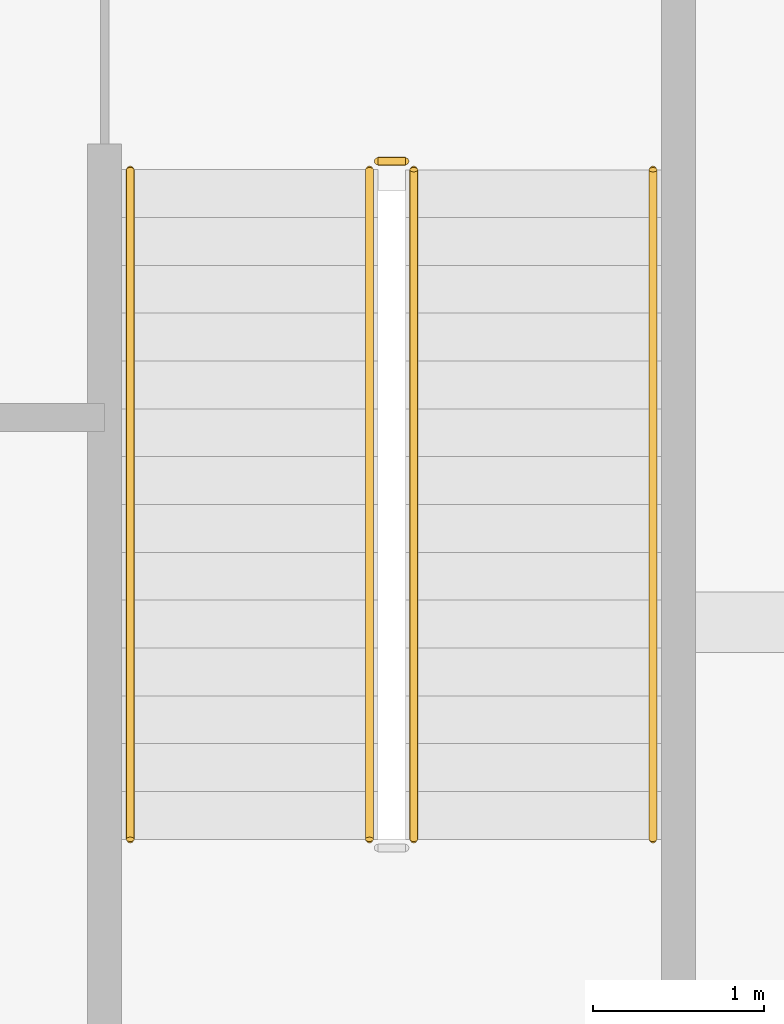
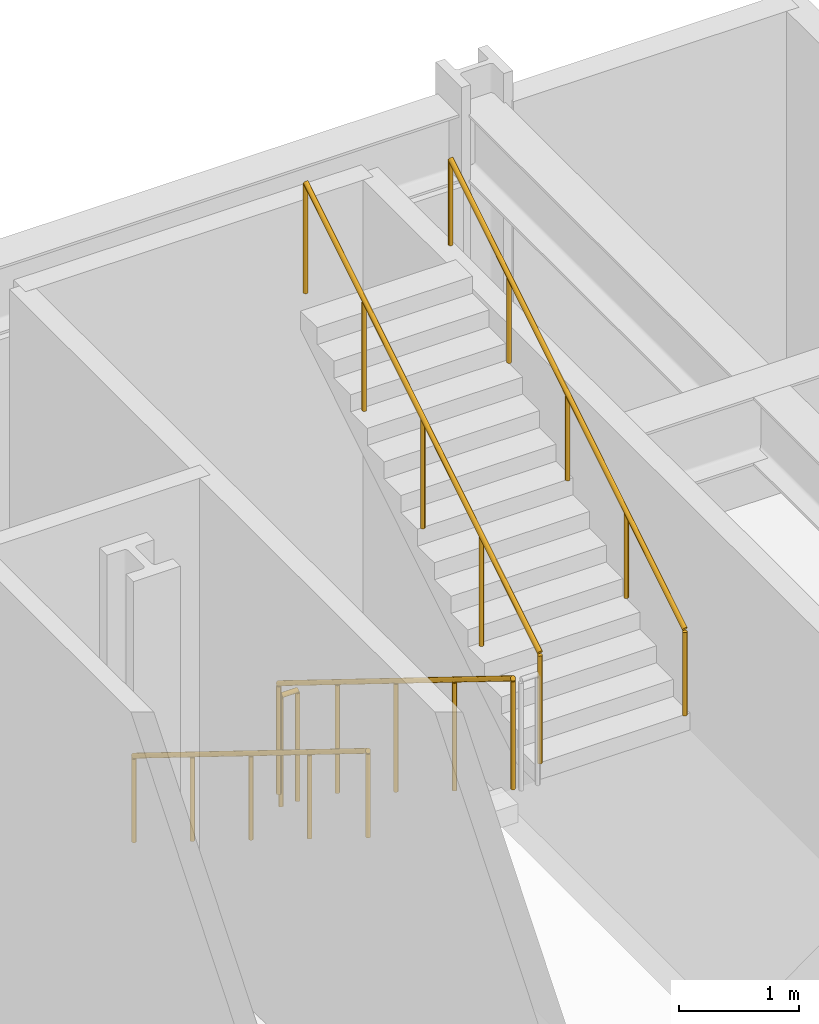
# One storey, part 19 of 19: 5 railings.
"""IFC4 building model written with IfcOpenShell, lengths in metres."""

from ifc_helpers import new_model, si_unit, direction, frame, origin, origin_2d, place, context, subcontext, project, spatial, circle, extrude, material, type_object, element, save


model = new_model("IFC4")

# Units and contexts
model_context = context("Model", 3, precision=1e-05, world=origin(), true_north=direction((0.0, 1.0)))
body_context = subcontext(model_context, "Body", "Model", "MODEL_VIEW")
ifc_project = project(units=[si_unit("LENGTHUNIT", "METRE"), si_unit("AREAUNIT", "SQUARE_METRE"), si_unit("VOLUMEUNIT", "CUBIC_METRE"), si_unit("PLANEANGLEUNIT", "RADIAN"), si_unit("MASSUNIT", "GRAM", prefix="KILO")], contexts=[model_context])

# Site, building, storey
site_placement = place(None, origin())
site = spatial("IfcSite", under=ifc_project, at=site_placement, CompositionType="ELEMENT")
building_placement = place(site_placement, origin())
building = spatial("IfcBuilding", under=site, at=building_placement, Name="Drelvath Grand Hotel", CompositionType="ELEMENT")
storey_placement = place(building_placement, frame((0.0, 0.0, 17.199951171875)))
storey = spatial("IfcBuildingStorey", under=building, at=storey_placement, Name="L03", CompositionType="ELEMENT", Elevation=17.199951171875)

# Railings
ifc_material = material(Name="Painted Steel S275", Category="steel")
railing_type_1 = type_object("IfcRailingType", Name="Core Stair Wall Handrail 900", PredefinedType="HANDRAIL", material=ifc_material)
railing_1_placement = place(storey_placement, frame((28.469970703125, 51.85009765625, 0.17333984375)))
element("IfcRailing", 1, at=railing_1_placement, inside=storey, type_object=railing_type_1, Name="L03 ST-4 stair handrail 1", PredefinedType="HANDRAIL", context=body_context, shape_type="SweptSolid", body=[
    extrude(circle(Radius=0.02392578125, at=origin_2d()), frame((0.0, 0.0, 0.8759765625), z_axis=(0.0, -0.850266275192, 0.526352791643), x_axis=(1.0, 0.0, 0.0)), (0.0, 0.0, 1.0), 4.610595703125),
    extrude(circle(Radius=0.02099609375, at=origin_2d()), origin(), (0.0, 0.0, 1.0), 0.851806640625),
    extrude(circle(Radius=0.02099609375, at=origin_2d()), frame((0.0, -0.97998046875, 0.606689453125)), (0.0, 0.0, 1.0), 0.851806640625),
    extrude(circle(Radius=0.02099609375, at=origin_2d()), frame((0.0, -1.9599609375, 1.21337890625)), (0.0, 0.0, 1.0), 0.851806640625),
    extrude(circle(Radius=0.02099609375, at=origin_2d()), frame((0.0, -2.940185546875, 1.820068359375)), (0.0, 0.0, 1.0), 0.851806640625),
    extrude(circle(Radius=0.02099609375, at=origin_2d()), frame((0.0, -3.920166015625, 2.4267578125)), (0.0, 0.0, 1.0), 0.851806640625),
])
railing_2_placement = place(storey_placement, frame((31.530029296875, 47.929931640625, 2.7734375)))
element("IfcRailing", 2, at=railing_2_placement, inside=storey, type_object=railing_type_1, Name="L03 ST-4 stair handrail 2", PredefinedType="HANDRAIL", context=body_context, shape_type="SweptSolid", body=[
    extrude(circle(Radius=0.02392578125, at=origin_2d()), frame((0.0, 0.0, 0.8759765625), z_axis=(0.0, 0.850289973577, 0.526314507528), x_axis=(-1.0, 0.0, 0.0)), (0.0, 0.0, 1.0), 4.6103515625),
    extrude(circle(Radius=0.02099609375, at=origin_2d()), origin(), (0.0, 0.0, 1.0), 0.851806640625),
    extrude(circle(Radius=0.02099609375, at=origin_2d()), frame((0.0, 0.97998046875, 0.606689453125)), (0.0, 0.0, 1.0), 0.851806640625),
    extrude(circle(Radius=0.02099609375, at=origin_2d()), frame((0.0, 1.9599609375, 1.21337890625)), (0.0, 0.0, 1.0), 0.851806640625),
    extrude(circle(Radius=0.02099609375, at=origin_2d()), frame((0.0, 2.940185546875, 1.81982421875)), (0.0, 0.0, 1.0), 0.851806640625),
    extrude(circle(Radius=0.02099609375, at=origin_2d()), frame((0.0, 3.920166015625, 2.426513671875)), (0.0, 0.0, 1.0), 0.851806640625),
])
railing_type_2 = type_object("IfcRailingType", Name="Core Stair Well Guardrail 1100", PredefinedType="GUARDRAIL", material=ifc_material)
railing_3_placement = place(storey_placement, frame((29.8701171875, 51.85009765625, 0.17333984375)))
element("IfcRailing", 3, at=railing_3_placement, inside=storey, type_object=railing_type_2, Name="L03 ST-4 stair guard 1", PredefinedType="GUARDRAIL", context=body_context, shape_type="SweptSolid", body=[
    extrude(circle(Radius=0.02392578125, at=origin_2d()), frame((0.0, 0.0, 1.1259765625), z_axis=(0.0, -0.850266275192, 0.526352791643), x_axis=(1.0, 0.0, 0.0)), (0.0, 0.0, 1.0), 4.610595703125),
    extrude(circle(Radius=0.02099609375, at=origin_2d()), origin(), (0.0, 0.0, 1.0), 1.101806640625),
    extrude(circle(Radius=0.02099609375, at=origin_2d()), frame((0.0, -0.97998046875, 0.606689453125)), (0.0, 0.0, 1.0), 1.101806640625),
    extrude(circle(Radius=0.02099609375, at=origin_2d()), frame((0.0, -1.9599609375, 1.21337890625)), (0.0, 0.0, 1.0), 1.101806640625),
    extrude(circle(Radius=0.02099609375, at=origin_2d()), frame((0.0, -2.940185546875, 1.820068359375)), (0.0, 0.0, 1.0), 1.101806640625),
    extrude(circle(Radius=0.02099609375, at=origin_2d()), frame((0.0, -3.920166015625, 2.4267578125)), (0.0, 0.0, 1.0), 1.101806640625),
])
railing_4_placement = place(storey_placement, frame((30.1298828125, 47.929931640625, 2.7734375)))
element("IfcRailing", 4, at=railing_4_placement, inside=storey, type_object=railing_type_2, Name="L03 ST-4 stair guard 3", PredefinedType="GUARDRAIL", context=body_context, shape_type="SweptSolid", body=[
    extrude(circle(Radius=0.02392578125, at=origin_2d()), frame((0.0, 0.0, 1.1259765625), z_axis=(0.0, 0.850289973577, 0.526314507528), x_axis=(-1.0, 0.0, 0.0)), (0.0, 0.0, 1.0), 4.6103515625),
    extrude(circle(Radius=0.02099609375, at=origin_2d()), origin(), (0.0, 0.0, 1.0), 1.101806640625),
    extrude(circle(Radius=0.02099609375, at=origin_2d()), frame((0.0, 0.97998046875, 0.606689453125)), (0.0, 0.0, 1.0), 1.101806640625),
    extrude(circle(Radius=0.02099609375, at=origin_2d()), frame((0.0, 1.9599609375, 1.21337890625)), (0.0, 0.0, 1.0), 1.101806640625),
    extrude(circle(Radius=0.02099609375, at=origin_2d()), frame((0.0, 2.940185546875, 1.81982421875)), (0.0, 0.0, 1.0), 1.101806640625),
    extrude(circle(Radius=0.02099609375, at=origin_2d()), frame((0.0, 3.920166015625, 2.426513671875)), (0.0, 0.0, 1.0), 1.101806640625),
])
railing_5_placement = place(storey_placement, frame((29.919921875, 51.89990234375, 0.0)))
element("IfcRailing", 5, at=railing_5_placement, inside=storey, type_object=railing_type_2, Name="L03 ST-4 stair guard 4", PredefinedType="GUARDRAIL", context=body_context, shape_type="SweptSolid", body=[
    extrude(circle(Radius=0.02392578125, at=origin_2d()), frame((0.0, 0.0, 1.1259765625), z_axis=(1.0, 0.0, 0.0), x_axis=(0.0, 1.0, 0.0)), (0.0, 0.0, 1.0), 0.16015625),
    extrude(circle(Radius=0.02099609375, at=origin_2d()), origin(), (0.0, 0.0, 1.0), 1.101806640625),
    extrude(circle(Radius=0.02099609375, at=origin_2d()), frame((0.16015625, 0.0, 0.0)), (0.0, 0.0, 1.0), 1.101806640625),
])

save(model, "model.ifc")
